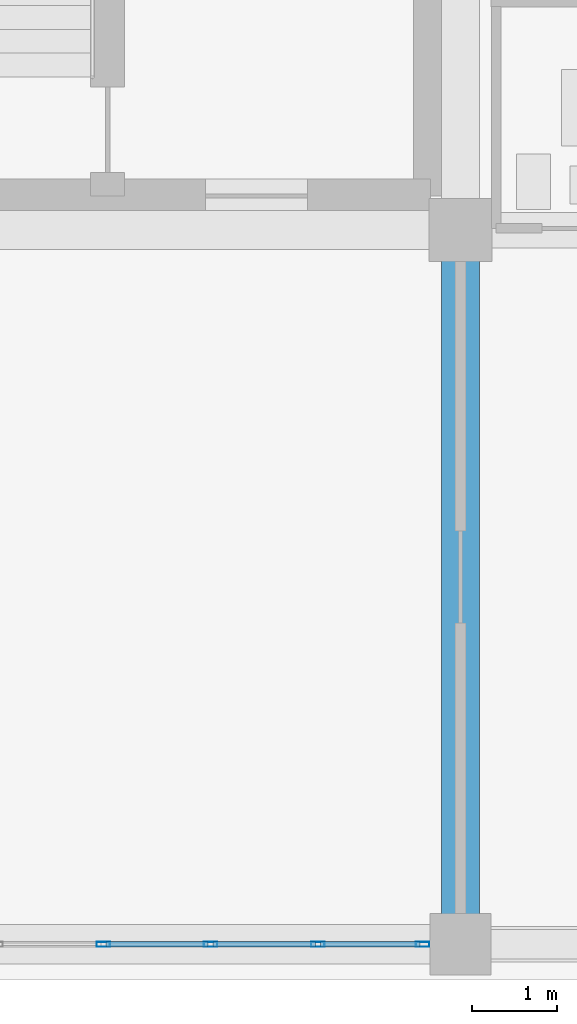
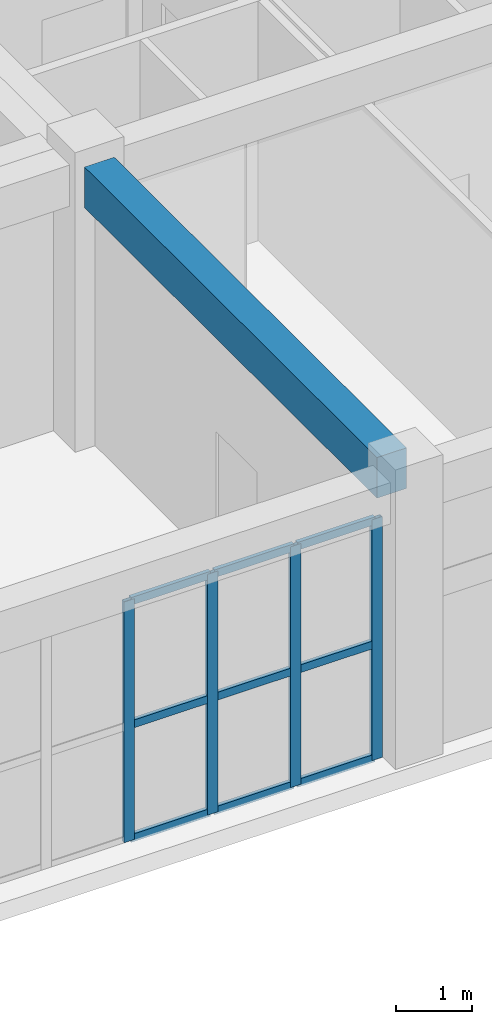
# One storey, part 36 of 158: 13 members, 1 beam, 1 element without a shape of its own.
"""IFC4 building model written with IfcOpenShell, lengths in metres."""

from ifc_helpers import new_model, si_unit, direction, frame, origin, origin_2d, place, context, subcontext, project, spatial, rectangle, hollow_rectangle, extrude, material, layer, layer_set, material_profile, profile_set, type_object, element, aggregate, save


model = new_model("IFC4")

# Units and contexts
model_context = context("Model", 3, precision=1e-05, world=origin(), true_north=direction((0.0, 1.0)))
body_context = subcontext(model_context, "Body", "Model", "MODEL_VIEW")
ifc_project = project(units=[si_unit("LENGTHUNIT", "METRE"), si_unit("AREAUNIT", "SQUARE_METRE"), si_unit("VOLUMEUNIT", "CUBIC_METRE"), si_unit("PLANEANGLEUNIT", "RADIAN"), si_unit("MASSUNIT", "GRAM", prefix="KILO")], contexts=[model_context])

# Site, building, storey
site_placement = place(None, origin())
site = spatial("IfcSite", under=ifc_project, at=site_placement, CompositionType="ELEMENT")
building_placement = place(site_placement, origin())
building = spatial("IfcBuilding", under=site, at=building_placement, Name="Trelvath General Hospital", CompositionType="ELEMENT")
storey_placement = place(building_placement, frame((0.0, 0.0, 8.10009765625)))
storey = spatial("IfcBuildingStorey", under=building, at=storey_placement, Name="L02", CompositionType="ELEMENT", Elevation=8.10009765625)

# Beam
ifc_material_1 = material(Name="Concrete C35/45", Category="concrete")
ifc_material_profile_1 = material_profile(ifc_material_1, rectangle(XDim=0.449951171875, YDim=0.64990234375, at=origin_2d()), Name="RCB450x650")
ifc_profile_set_1 = profile_set([ifc_material_profile_1], Name="Concrete C35/45")
beam_type = type_object("IfcBeamType", Name="Beam RC450x650", PredefinedType="BEAM", material=ifc_profile_set_1)
beam_placement = place(storey_placement, frame((100.800048828125, 0.35498046875, 4.19482421875), z_axis=(0.0, 1.0, 0.0), x_axis=(-1.0, 0.0, 0.0)))
element("IfcBeam", 1, at=beam_placement, inside=storey, type_object=beam_type, Name="Grid Beam BY-212A", PredefinedType="BEAM", context=body_context, shape_type="SweptSolid", body=[
    extrude(rectangle(XDim=0.449951171875, YDim=0.64990234375, at=origin_2d()), origin(), (0.0, 0.0, 1.0), 7.679931640625),
])

# Curtain wall, members
ifc_material_2 = material(Name="Anodised aluminium and low-E glass", Category="aluminium")
ifc_layer = layer(ifc_material_2, 0.159912109375)
ifc_layer_set = layer_set([ifc_layer], Name="Anodised aluminium and low-E glass")
curtain_wall_type = type_object("IfcCurtainWallType", Name="CW Facade 757 386 16", PredefinedType="USERDEFINED", material=ifc_layer_set)
curtain_wall_placement = place(storey_placement, origin())
curtain_wall = element("IfcCurtainWall", 2, at=curtain_wall_placement, inside=storey, type_object=curtain_wall_type, Name="Facade Curtain Wall CW-044", ObjectType="Unitised Glazed Curtain Wall", PredefinedType="USERDEFINED")
ifc_material_3 = material(Name="Anodised aluminium", Category="aluminium")
ifc_material_profile_2 = material_profile(ifc_material_3, hollow_rectangle(XDim=0.06005859375, YDim=0.159912109375, WallThickness=0.00390625, at=origin_2d()), Name="RHS60x160x4")
ifc_profile_set_2 = profile_set([ifc_material_profile_2], Name="Anodised aluminium")
member_type_1 = type_object("IfcMemberType", Name="CurtainMullion 60x160", PredefinedType="MULLION", material=ifc_profile_set_2)
member_1_placement = place(storey_placement, frame((100.35498046875, 0.0, 0.0), z_axis=(0.0, 0.0, 1.0), x_axis=(0.0, -1.0, 0.0)))
member_1 = element("IfcMember", 3, at=member_1_placement, type_object=member_type_1, Name="CW-044 mullion 1", PredefinedType="MULLION", context=body_context, shape_type="SweptSolid", body=[
    extrude(hollow_rectangle(XDim=0.06005859375, YDim=0.159912109375, WallThickness=0.00390625, at=origin_2d()), origin(), (0.0, 0.0, 1.0), 3.85986328125),
])
member_2_placement = place(storey_placement, frame((99.123291015625, 0.0, 0.0), z_axis=(0.0, 0.0, 1.0), x_axis=(0.0, -1.0, 0.0)))
member_2 = element("IfcMember", 4, at=member_2_placement, type_object=member_type_1, Name="CW-044 mullion 2", PredefinedType="MULLION", context=body_context, shape_type="SweptSolid", body=[
    extrude(hollow_rectangle(XDim=0.06005859375, YDim=0.159912109375, WallThickness=0.00390625, at=origin_2d()), origin(), (0.0, 0.0, 1.0), 3.85986328125),
])
member_3_placement = place(storey_placement, frame((97.861572265625, 0.0, 0.0), z_axis=(0.0, 0.0, 1.0), x_axis=(0.0, -1.0, 0.0)))
member_3 = element("IfcMember", 5, at=member_3_placement, type_object=member_type_1, Name="CW-044 mullion 3", PredefinedType="MULLION", context=body_context, shape_type="SweptSolid", body=[
    extrude(hollow_rectangle(XDim=0.06005859375, YDim=0.159912109375, WallThickness=0.00390625, at=origin_2d()), origin(), (0.0, 0.0, 1.0), 3.85986328125),
])
member_4_placement = place(storey_placement, frame((96.60009765625, 0.0, 0.0), z_axis=(0.0, 0.0, 1.0), x_axis=(0.0, -1.0, 0.0)))
member_4 = element("IfcMember", 6, at=member_4_placement, type_object=member_type_1, Name="CW-044 mullion 4", PredefinedType="MULLION", context=body_context, shape_type="SweptSolid", body=[
    extrude(hollow_rectangle(XDim=0.06005859375, YDim=0.159912109375, WallThickness=0.00390625, at=origin_2d()), origin(), (0.0, 0.0, 1.0), 3.85986328125),
])
ifc_material_4 = material(Name="Anodised aluminium", Category="aluminium")
ifc_material_profile_3 = material_profile(ifc_material_4, hollow_rectangle(XDim=0.06005859375, YDim=0.125, WallThickness=0.00390625, at=origin_2d()), Name="RHS60x125x4")
ifc_profile_set_3 = profile_set([ifc_material_profile_3], Name="Anodised aluminium")
member_type_2 = type_object("IfcMemberType", Name="CurtainTransom 60x125", PredefinedType="USERDEFINED", material=ifc_profile_set_3)
member_5_placement = place(storey_placement, frame((100.324951171875, 0.0, 0.02978515625), z_axis=(-1.0, 0.0, 0.0), x_axis=(0.0, -1.0, 0.0)))
member_5 = element("IfcMember", 7, at=member_5_placement, type_object=member_type_2, Name="CW-044 transom 1.1", ObjectType="TRANSOM", PredefinedType="USERDEFINED", context=body_context, shape_type="SweptSolid", body=[
    extrude(hollow_rectangle(XDim=0.06005859375, YDim=0.125, WallThickness=0.00390625, at=origin_2d()), origin(), (0.0, 0.0, 1.0), 1.171630859375),
])
member_6_placement = place(storey_placement, frame((100.324951171875, 0.0, 1.852783203125), z_axis=(-1.0, 0.0, 0.0), x_axis=(0.0, -1.0, 0.0)))
member_6 = element("IfcMember", 8, at=member_6_placement, type_object=member_type_2, Name="CW-044 transom 1.2", ObjectType="TRANSOM", PredefinedType="USERDEFINED", context=body_context, shape_type="SweptSolid", body=[
    extrude(hollow_rectangle(XDim=0.06005859375, YDim=0.125, WallThickness=0.00390625, at=origin_2d()), origin(), (0.0, 0.0, 1.0), 1.171630859375),
])
member_7_placement = place(storey_placement, frame((100.324951171875, 0.0, 3.829833984375), z_axis=(-1.0, 0.0, 0.0), x_axis=(0.0, -1.0, 0.0)))
member_7 = element("IfcMember", 9, at=member_7_placement, type_object=member_type_2, Name="CW-044 transom 1.3", ObjectType="TRANSOM", PredefinedType="USERDEFINED", context=body_context, shape_type="SweptSolid", body=[
    extrude(hollow_rectangle(XDim=0.06005859375, YDim=0.125, WallThickness=0.00390625, at=origin_2d()), origin(), (0.0, 0.0, 1.0), 1.171630859375),
])
member_8_placement = place(storey_placement, frame((99.09326171875, 0.0, 0.02978515625), z_axis=(-1.0, 0.0, 0.0), x_axis=(0.0, -1.0, 0.0)))
member_8 = element("IfcMember", 10, at=member_8_placement, type_object=member_type_2, Name="CW-044 transom 2.1", ObjectType="TRANSOM", PredefinedType="USERDEFINED", context=body_context, shape_type="SweptSolid", body=[
    extrude(hollow_rectangle(XDim=0.06005859375, YDim=0.125, WallThickness=0.00390625, at=origin_2d()), origin(), (0.0, 0.0, 1.0), 1.20166015625),
])
member_9_placement = place(storey_placement, frame((99.09326171875, 0.0, 1.852783203125), z_axis=(-1.0, 0.0, 0.0), x_axis=(0.0, -1.0, 0.0)))
member_9 = element("IfcMember", 11, at=member_9_placement, type_object=member_type_2, Name="CW-044 transom 2.2", ObjectType="TRANSOM", PredefinedType="USERDEFINED", context=body_context, shape_type="SweptSolid", body=[
    extrude(hollow_rectangle(XDim=0.06005859375, YDim=0.125, WallThickness=0.00390625, at=origin_2d()), origin(), (0.0, 0.0, 1.0), 1.20166015625),
])
member_10_placement = place(storey_placement, frame((99.09326171875, 0.0, 3.829833984375), z_axis=(-1.0, 0.0, 0.0), x_axis=(0.0, -1.0, 0.0)))
member_10 = element("IfcMember", 12, at=member_10_placement, type_object=member_type_2, Name="CW-044 transom 2.3", ObjectType="TRANSOM", PredefinedType="USERDEFINED", context=body_context, shape_type="SweptSolid", body=[
    extrude(hollow_rectangle(XDim=0.06005859375, YDim=0.125, WallThickness=0.00390625, at=origin_2d()), origin(), (0.0, 0.0, 1.0), 1.20166015625),
])
member_11_placement = place(storey_placement, frame((97.831787109375, 0.0, 0.02978515625), z_axis=(-1.0, 0.0, 0.0), x_axis=(0.0, -1.0, 0.0)))
member_11 = element("IfcMember", 13, at=member_11_placement, type_object=member_type_2, Name="CW-044 transom 3.1", ObjectType="TRANSOM", PredefinedType="USERDEFINED", context=body_context, shape_type="SweptSolid", body=[
    extrude(hollow_rectangle(XDim=0.06005859375, YDim=0.125, WallThickness=0.00390625, at=origin_2d()), origin(), (0.0, 0.0, 1.0), 1.201904296875),
])
member_12_placement = place(storey_placement, frame((97.831787109375, 0.0, 1.852783203125), z_axis=(-1.0, 0.0, 0.0), x_axis=(0.0, -1.0, 0.0)))
member_12 = element("IfcMember", 14, at=member_12_placement, type_object=member_type_2, Name="CW-044 transom 3.2", ObjectType="TRANSOM", PredefinedType="USERDEFINED", context=body_context, shape_type="SweptSolid", body=[
    extrude(hollow_rectangle(XDim=0.06005859375, YDim=0.125, WallThickness=0.00390625, at=origin_2d()), origin(), (0.0, 0.0, 1.0), 1.201904296875),
])
member_13_placement = place(storey_placement, frame((97.831787109375, 0.0, 3.829833984375), z_axis=(-1.0, 0.0, 0.0), x_axis=(0.0, -1.0, 0.0)))
member_13 = element("IfcMember", 15, at=member_13_placement, type_object=member_type_2, Name="CW-044 transom 3.3", ObjectType="TRANSOM", PredefinedType="USERDEFINED", context=body_context, shape_type="SweptSolid", body=[
    extrude(hollow_rectangle(XDim=0.06005859375, YDim=0.125, WallThickness=0.00390625, at=origin_2d()), origin(), (0.0, 0.0, 1.0), 1.201904296875),
])
aggregate(curtain_wall, [member_1, member_2, member_3, member_4, member_5, member_6, member_7, member_8, member_9, member_10, member_11, member_12, member_13])

save(model, "model.ifc")
